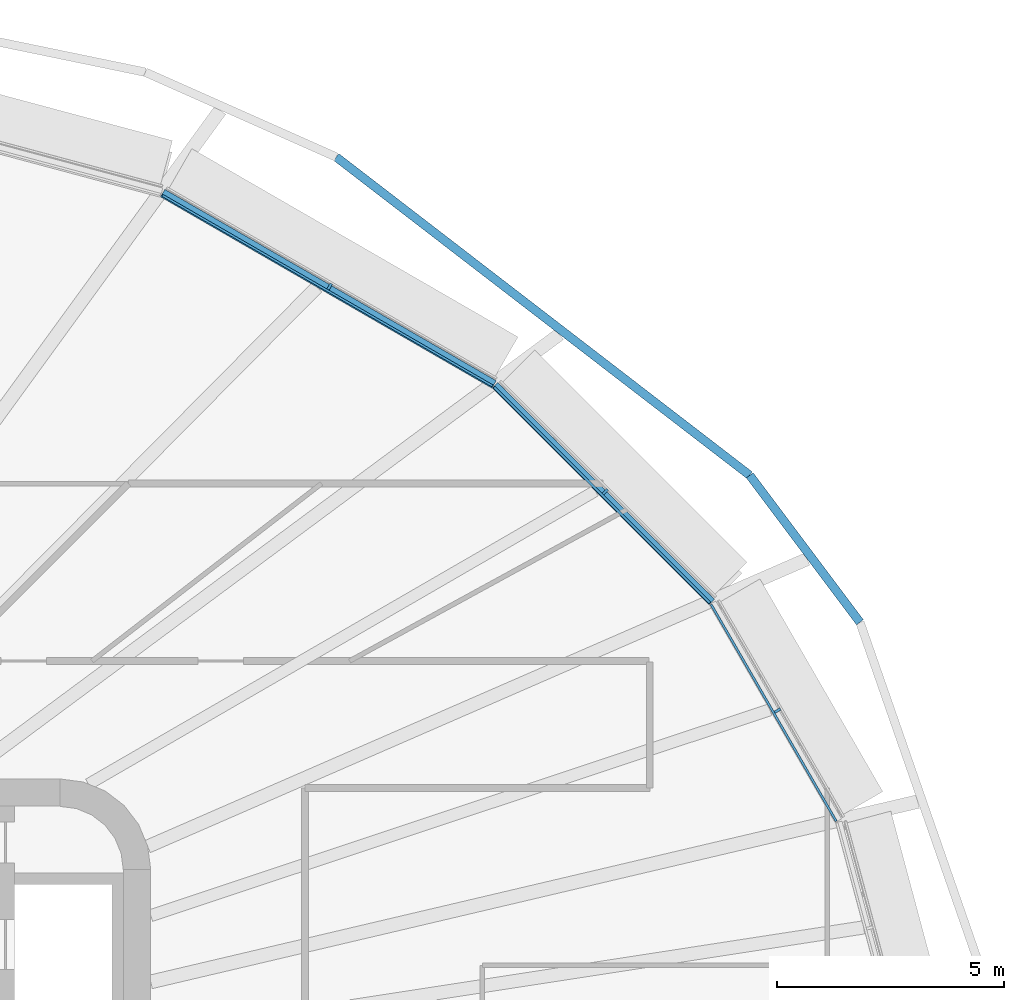
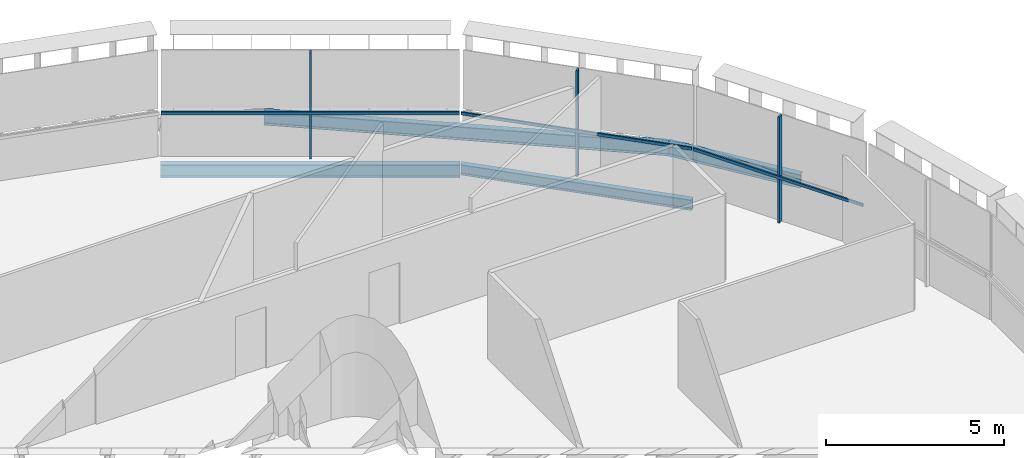
# One storey, part 10 of 25: 6 members, 4 beams, 3 elements without a shape of their own.
"""IFC4 building model written with IfcOpenShell, lengths in metres."""

from ifc_helpers import new_model, si_unit, direction, frame, origin, origin_2d, place, context, subcontext, project, spatial, rectangle, i_section, extrude, material, layer, layer_set, material_profile, profile_set, type_object, element, aggregate, save


model = new_model("IFC4")

# Units and contexts
model_context = context("Model", 3, precision=1e-05, world=origin(), true_north=direction((0.0, 1.0)))
body_context = subcontext(model_context, "Body", "Model", "MODEL_VIEW")
ifc_project = project(units=[si_unit("LENGTHUNIT", "METRE"), si_unit("AREAUNIT", "SQUARE_METRE"), si_unit("VOLUMEUNIT", "CUBIC_METRE"), si_unit("PLANEANGLEUNIT", "RADIAN"), si_unit("MASSUNIT", "GRAM", prefix="KILO")], contexts=[model_context])

# Site, building, storey
site_placement = place(None, origin())
site = spatial("IfcSite", under=ifc_project, at=site_placement, CompositionType="ELEMENT")
building_placement = place(site_placement, origin())
building = spatial("IfcBuilding", under=site, at=building_placement, Name="Sahrelin Media Tower", CompositionType="ELEMENT")
storey_placement = place(building_placement, frame((0.0, 0.0, 144.0)))
storey = spatial("IfcBuildingStorey", under=building, at=storey_placement, Name="L29", CompositionType="ELEMENT", Elevation=144.0)

# Beams
ifc_material_1 = material(Name="Steel S355", Category="steel")
ifc_material_profile_1 = material_profile(ifc_material_1, i_section(OverallWidth=0.17138671875, OverallDepth=0.35498046875, WebThickness=0.00732421875, FlangeThickness=0.011474609375, FilletRadius=0.01025390625, at=origin_2d()), Name="UB 356x171x51")
ifc_profile_set_1 = profile_set([ifc_material_profile_1], Name="Steel S355")
beam_type_1 = type_object("IfcBeamType", Name="Edge beam EB3", PredefinedType="BEAM", material=ifc_profile_set_1)
beam_1_placement = place(storey_placement, frame((22.59033203125, 16.677978515625, -0.327392578125), z_axis=(0.707106781187, -0.707106781187, 0.0), x_axis=(0.707106781187, 0.707106781187, 0.0)))
element("IfcBeam", 1, at=beam_1_placement, inside=storey, type_object=beam_type_1, Name="Edge beam L29-22", PredefinedType="BEAM", context=body_context, shape_type="SweptSolid", body=[
    extrude(i_section(OverallWidth=0.17138671875, OverallDepth=0.35498046875, WebThickness=0.00732421875, FlangeThickness=0.011474609375, FilletRadius=0.01025390625, at=origin_2d()), origin(), (0.0, 0.0, 1.0), 6.751953125),
])
ifc_material_profile_2 = material_profile(ifc_material_1, i_section(OverallWidth=0.1904296875, OverallDepth=0.45703125, WebThickness=0.009033203125, FlangeThickness=0.014404296875, FilletRadius=0.01025390625, at=origin_2d()), Name="UB 457x191x74")
ifc_profile_set_2 = profile_set([ifc_material_profile_2], Name="Steel S355")
beam_type_2 = type_object("IfcBeamType", Name="Edge beam EB5", PredefinedType="BEAM", material=ifc_profile_set_2)
beam_2_placement = place(storey_placement, frame((15.264404296875, 20.911865234375, -0.37841796875), z_axis=(0.866028896434, -0.499993950504, 0.0), x_axis=(0.499993950504, 0.866028896434, 0.0)))
element("IfcBeam", 2, at=beam_2_placement, inside=storey, type_object=beam_type_2, Name="Edge beam L29-21", PredefinedType="BEAM", context=body_context, shape_type="SweptSolid", body=[
    extrude(i_section(OverallWidth=0.1904296875, OverallDepth=0.45703125, WebThickness=0.009033203125, FlangeThickness=0.014404296875, FilletRadius=0.01025390625, at=origin_2d()), origin(), (0.0, 0.0, 1.0), 8.4326171875),
])

# Curtain wall, member
ifc_material_2 = material(Name="Champagne anodised aluminium 6063-T6", Category="aluminium")
ifc_layer = layer(ifc_material_2, 0.14990234375)
ifc_layer_set = layer_set([ifc_layer], Name="Tower ribbon curtain wall")
curtain_wall_type = type_object("IfcCurtainWallType", Name="Tower ribbon curtain wall", PredefinedType="NOTDEFINED", material=ifc_layer_set)
curtain_wall_1_placement = place(storey_placement, frame((28.8984375, 9.5546875, 0.0), z_axis=(0.0, 0.0, 1.0), x_axis=(1.0, 0.0, 0.0)))
curtain_wall_1 = element("IfcCurtainWall", 3, at=curtain_wall_1_placement, inside=storey, type_object=curtain_wall_type, Name="L29:CW:L29-02", PredefinedType="NOTDEFINED")
ifc_material_profile_3 = material_profile(ifc_material_2, rectangle(XDim=0.06005859375, YDim=0.14990234375, at=origin_2d()), Name="Mullion 60x150")
ifc_profile_set_3 = profile_set([ifc_material_profile_3], Name="Champagne anodised aluminium 6063-T6")
member_type_1 = type_object("IfcMemberType", Name="Mullion 60x150 CW1", PredefinedType="MULLION", material=ifc_profile_set_3)
member_1_placement = place(storey_placement, frame((28.816162109375, 9.507080078125, 0.0), z_axis=(0.0, 0.0, 1.0), x_axis=(-0.49999395399, 0.866028894422, 0.0)))
member_1 = element("IfcMember", 4, at=member_1_placement, type_object=member_type_1, Name="L29:CWM:L29-02", PredefinedType="MULLION", context=body_context, shape_type="SweptSolid", body=[
    extrude(rectangle(XDim=0.06005859375, YDim=0.14990234375, at=origin_2d()), origin(), (0.0, 0.0, 1.0), 3.648681640625),
])

curtain_wall_2_placement = place(storey_placement, frame((25.08349609375, 14.39697265625, 0.0), z_axis=(0.0, 0.0, 1.0), x_axis=(1.0, 0.0, 0.0)))
curtain_wall_2 = element("IfcCurtainWall", 5, at=curtain_wall_2_placement, inside=storey, type_object=curtain_wall_type, Name="L29:CW:L29-03", PredefinedType="NOTDEFINED")
member_2_placement = place(storey_placement, frame((25.016357421875, 14.32958984375, 0.0), z_axis=(0.0, 0.0, 1.0), x_axis=(-0.707106781187, 0.707106781187, 0.0)))
member_2 = element("IfcMember", 6, at=member_2_placement, type_object=member_type_1, Name="L29:CWM:L29-03", PredefinedType="MULLION", context=body_context, shape_type="SweptSolid", body=[
    extrude(rectangle(XDim=0.06005859375, YDim=0.14990234375, at=origin_2d()), origin(), (0.0, 0.0, 1.0), 3.648681640625),
])

curtain_wall_3_placement = place(storey_placement, frame((18.990966796875, 18.93359375, 0.0), z_axis=(0.0, 0.0, 1.0), x_axis=(1.0, 0.0, 0.0)))
curtain_wall_3 = element("IfcCurtainWall", 7, at=curtain_wall_3_placement, inside=storey, type_object=curtain_wall_type, Name="L29:CW:L29-04", PredefinedType="NOTDEFINED")
member_3_placement = place(storey_placement, frame((18.943603515625, 18.851318359375, 0.0), z_axis=(0.0, 0.0, 1.0), x_axis=(-0.866027149108, 0.499996976998, 0.0)))
member_3 = element("IfcMember", 8, at=member_3_placement, type_object=member_type_1, Name="L29:CWM:L29-04", PredefinedType="MULLION", context=body_context, shape_type="SweptSolid", body=[
    extrude(rectangle(XDim=0.06005859375, YDim=0.14990234375, at=origin_2d()), origin(), (0.0, 0.0, 1.0), 3.648681640625),
])

# Beams
ifc_material_profile_4 = material_profile(ifc_material_1, i_section(OverallWidth=0.1904296875, OverallDepth=0.45703125, WebThickness=0.009033203125, FlangeThickness=0.014404296875, FilletRadius=0.01025390625, at=origin_2d()), Name="UB 457x191x74")
ifc_profile_set_4 = profile_set([ifc_material_profile_4], Name="Steel S355")
beam_type_3 = type_object("IfcBeamType", Name="Tie chord TC5", PredefinedType="BEAM", material=ifc_profile_set_4)
beam_3_placement = place(storey_placement, frame((30.632568359375, 11.453125, -0.37841796875), z_axis=(-0.600077169797, 0.799942116836, 0.0), x_axis=(-0.799942116836, -0.600077169797, 0.0)))
element("IfcBeam", 9, at=beam_3_placement, inside=storey, type_object=beam_type_3, Name="Tie chord L29-02", PredefinedType="BEAM", context=body_context, shape_type="SweptSolid", body=[
    extrude(i_section(OverallWidth=0.1904296875, OverallDepth=0.45703125, WebThickness=0.009033203125, FlangeThickness=0.014404296875, FilletRadius=0.01025390625, at=origin_2d()), origin(), (0.0, 0.0, 1.0), 4.04931640625),
])
beam_4_placement = place(storey_placement, frame((28.20263671875, 14.6923828125, -0.37841796875), z_axis=(-0.792440876725, 0.609948733005, 0.0), x_axis=(-0.609948733005, -0.792440876725, 0.0)))
element("IfcBeam", 10, at=beam_4_placement, inside=storey, type_object=beam_type_3, Name="Tie chord L29-03", PredefinedType="BEAM", context=body_context, shape_type="SweptSolid", body=[
    extrude(i_section(OverallWidth=0.1904296875, OverallDepth=0.45703125, WebThickness=0.009033203125, FlangeThickness=0.014404296875, FilletRadius=0.01025390625, at=origin_2d()), origin(), (0.0, 0.0, 1.0), 11.501220703125),
])

# Member
ifc_material_profile_5 = material_profile(ifc_material_2, rectangle(XDim=0.050048828125, YDim=0.10009765625, at=origin_2d()), Name="Transom 50x100")
ifc_profile_set_5 = profile_set([ifc_material_profile_5], Name="Champagne anodised aluminium 6063-T6")
member_type_2 = type_object("IfcMemberType", Name="Transom 50x100 CW1", PredefinedType="USERDEFINED", material=ifc_profile_set_5)
member_4_placement = place(storey_placement, frame((30.10791015625, 7.069580078125, 1.60009765625), z_axis=(-0.500006091826, 0.866021886639, 0.0), x_axis=(-0.866021886639, -0.500006091826, 0.0)))
member_4 = element("IfcMember", 11, at=member_4_placement, type_object=member_type_2, Name="L29:CWT:L29-02", ObjectType="TRANSOM", PredefinedType="USERDEFINED", context=body_context, shape_type="SweptSolid", body=[
    extrude(rectangle(XDim=0.050048828125, YDim=0.10009765625, at=origin_2d()), origin(), (0.0, 0.0, 1.0), 5.513671875),
])

aggregate(curtain_wall_1, [member_1, member_4])

member_5_placement = place(storey_placement, frame((27.32177734375, 11.8828125, 1.60009765625), z_axis=(-0.707106781187, 0.707106781187, 0.0), x_axis=(-0.707106781187, -0.707106781187, 0.0)))
member_5 = element("IfcMember", 12, at=member_5_placement, type_object=member_type_2, Name="L29:CWT:L29-03", ObjectType="TRANSOM", PredefinedType="USERDEFINED", context=body_context, shape_type="SweptSolid", body=[
    extrude(rectangle(XDim=0.050048828125, YDim=0.10009765625, at=origin_2d()), origin(), (0.0, 0.0, 1.0), 6.720703125),
])

aggregate(curtain_wall_2, [member_2, member_5])

member_6_placement = place(storey_placement, frame((22.53125, 16.664306640625, 1.60009765625), z_axis=(-0.866020563817, 0.500008382975, 0.0), x_axis=(-0.500008382975, -0.866020563817, 0.0)))
member_6 = element("IfcMember", 13, at=member_6_placement, type_object=member_type_2, Name="L29:CWT:L29-04", ObjectType="TRANSOM", PredefinedType="USERDEFINED", context=body_context, shape_type="SweptSolid", body=[
    extrude(rectangle(XDim=0.050048828125, YDim=0.10009765625, at=origin_2d()), origin(), (0.0, 0.0, 1.0), 8.401123046875),
])

aggregate(curtain_wall_3, [member_3, member_6])

save(model, "model.ifc")
